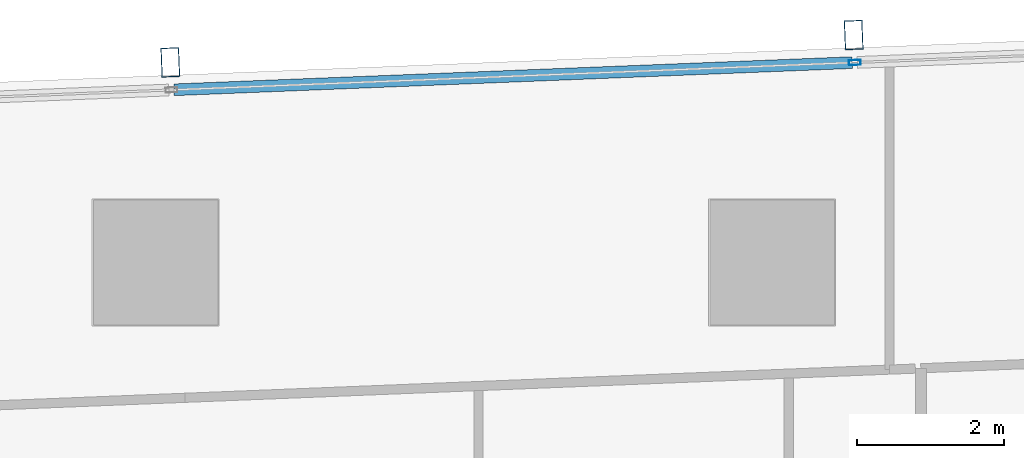
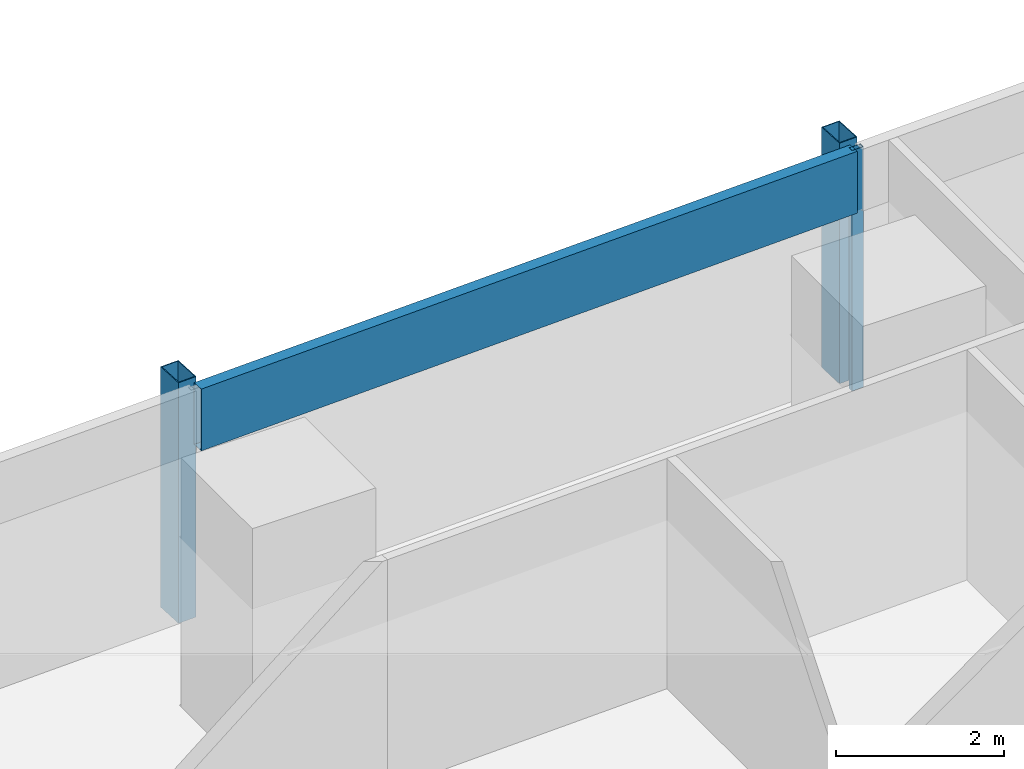
# One storey, part 17 of 40: 4 members, 1 element without a shape of its own.
"""IFC4 building model written with IfcOpenShell, lengths in metres."""

from ifc_helpers import new_model, si_unit, direction, frame, origin, origin_2d, place, context, subcontext, project, spatial, hollow_rectangle, extrude, material, material_profile, profile_set, type_object, element, aggregate, save


model = new_model("IFC4")

# Units and contexts
model_context = context("Model", 3, precision=1e-05, world=origin(), true_north=direction((0.0, 1.0)))
body_context = subcontext(model_context, "Body", "Model", "MODEL_VIEW")
ifc_project = project(units=[si_unit("LENGTHUNIT", "METRE"), si_unit("AREAUNIT", "SQUARE_METRE"), si_unit("VOLUMEUNIT", "CUBIC_METRE"), si_unit("PLANEANGLEUNIT", "RADIAN"), si_unit("MASSUNIT", "GRAM", prefix="KILO")], contexts=[model_context])

# Site, building, storey
site_placement = place(None, origin())
site = spatial("IfcSite", under=ifc_project, at=site_placement, CompositionType="ELEMENT")
building_placement = place(site_placement, origin())
building = spatial("IfcBuilding", under=site, at=building_placement, Name="Rekha Terrace Tower", CompositionType="ELEMENT")
storey_placement = place(building_placement, frame((0.0, 0.0, 129.050048828125)))
storey = spatial("IfcBuildingStorey", under=building, at=storey_placement, Name="L32", CompositionType="ELEMENT", Elevation=129.050048828125)

# Curtain wall, members
ifc_material_1 = material(Name="Aluminium framing", Category="aluminium")
curtain_wall_type = type_object("IfcCurtainWallType", Name="CW3 north unitised glazing", PredefinedType="USERDEFINED", material=ifc_material_1)
curtain_wall_placement = place(storey_placement, origin())
curtain_wall = element("IfcCurtainWall", 1, at=curtain_wall_placement, inside=storey, type_object=curtain_wall_type, Name="CW3 unitised curtain wall", ObjectType="UNITISED CURTAIN WALL", PredefinedType="USERDEFINED")
ifc_material_2 = material(Name="Steel S355 with fluorocarbon finish", Category="steel")
ifc_material_profile_1 = material_profile(ifc_material_2, hollow_rectangle(XDim=0.25, YDim=0.39990234375, WallThickness=0.012451171875, at=origin_2d()), Name="RHS400x250x12.5")
ifc_profile_set_1 = profile_set([ifc_material_profile_1], Name="Steel S355 with fluorocarbon finish")
member_type_1 = type_object("IfcMemberType", Name="BL1 facade blade RHS 400 x 250", PredefinedType="USERDEFINED", material=ifc_profile_set_1)
member_1_placement = place(storey_placement, frame((34.7109375, 61.9013671875, 0.0), z_axis=(0.0, 0.0, 1.0), x_axis=(-0.999198382632, -0.040032388711, 0.0)))
member_1 = element("IfcMember", 2, at=member_1_placement, type_object=member_type_1, Name="Facade blade", ObjectType="FACADE BLADE", PredefinedType="USERDEFINED", context=body_context, shape_type="SweptSolid", body=[
    extrude(hollow_rectangle(XDim=0.25, YDim=0.39990234375, WallThickness=0.012451171875, at=origin_2d()), origin(), (0.0, 0.0, 1.0), 3.5),
])
member_2_placement = place(storey_placement, frame((25.39892578125, 61.5283203125, 0.0), z_axis=(0.0, 0.0, 1.0), x_axis=(-0.999198382632, -0.040032388711, 0.0)))
member_2 = element("IfcMember", 3, at=member_2_placement, type_object=member_type_1, Name="Facade blade", ObjectType="FACADE BLADE", PredefinedType="USERDEFINED", context=body_context, shape_type="SweptSolid", body=[
    extrude(hollow_rectangle(XDim=0.25, YDim=0.39990234375, WallThickness=0.012451171875, at=origin_2d()), origin(), (0.0, 0.0, 1.0), 3.5),
])
ifc_material_3 = material(Name="Aluminium mullion section", Category="aluminium")
ifc_material_profile_2 = material_profile(ifc_material_3, hollow_rectangle(XDim=0.070068359375, YDim=0.159912109375, WallThickness=0.00390625, at=origin_2d()), Name="AL RHS 70x160")
ifc_profile_set_2 = profile_set([ifc_material_profile_2], Name="Aluminium mullion section")
member_type_2 = type_object("IfcMemberType", Name="CW3 mullion RHS 70 x 160", PredefinedType="MULLION", material=ifc_profile_set_2)
member_3_placement = place(storey_placement, frame((34.725830078125, 61.526611328125, 0.0), z_axis=(0.0, 0.0, 1.0), x_axis=(0.040031987119, -0.999198398721, 0.0)))
member_3 = element("IfcMember", 4, at=member_3_placement, type_object=member_type_2, Name="CW3 mullion 2", PredefinedType="MULLION", context=body_context, shape_type="SweptSolid", body=[
    extrude(hollow_rectangle(XDim=0.070068359375, YDim=0.159912109375, WallThickness=0.00390625, at=origin_2d()), origin(), (0.0, 0.0, 1.0), 3.5),
])
ifc_material_4 = material(Name="Insulated aluminium spandrel box", Category="aluminium")
ifc_material_profile_3 = material_profile(ifc_material_4, hollow_rectangle(XDim=0.159912109375, YDim=0.89990234375, WallThickness=0.0029296875, at=origin_2d()), Name="AL SPANDREL BOX 160x900")
ifc_profile_set_3 = profile_set([ifc_material_profile_3], Name="Insulated aluminium spandrel box")
member_type_3 = type_object("IfcMemberType", Name="CW3 spandrel transom 160 x 900", PredefinedType="USERDEFINED", material=ifc_profile_set_3)
member_4_placement = place(storey_placement, frame((34.69091796875, 61.525390625, 3.050048828125), z_axis=(-0.999198046754, -0.040040771263, 0.0), x_axis=(0.040040771263, -0.999198046754, 0.0)))
member_4 = element("IfcMember", 5, at=member_4_placement, type_object=member_type_3, Name="CW3 spandrel transom 2", ObjectType="TRANSOM", PredefinedType="USERDEFINED", context=body_context, shape_type="SweptSolid", body=[
    extrude(hollow_rectangle(XDim=0.159912109375, YDim=0.89990234375, WallThickness=0.0029296875, at=origin_2d()), origin(), (0.0, 0.0, 1.0), 9.24951171875),
])
aggregate(curtain_wall, [member_3, member_4, member_1, member_2])

save(model, "model.ifc")
